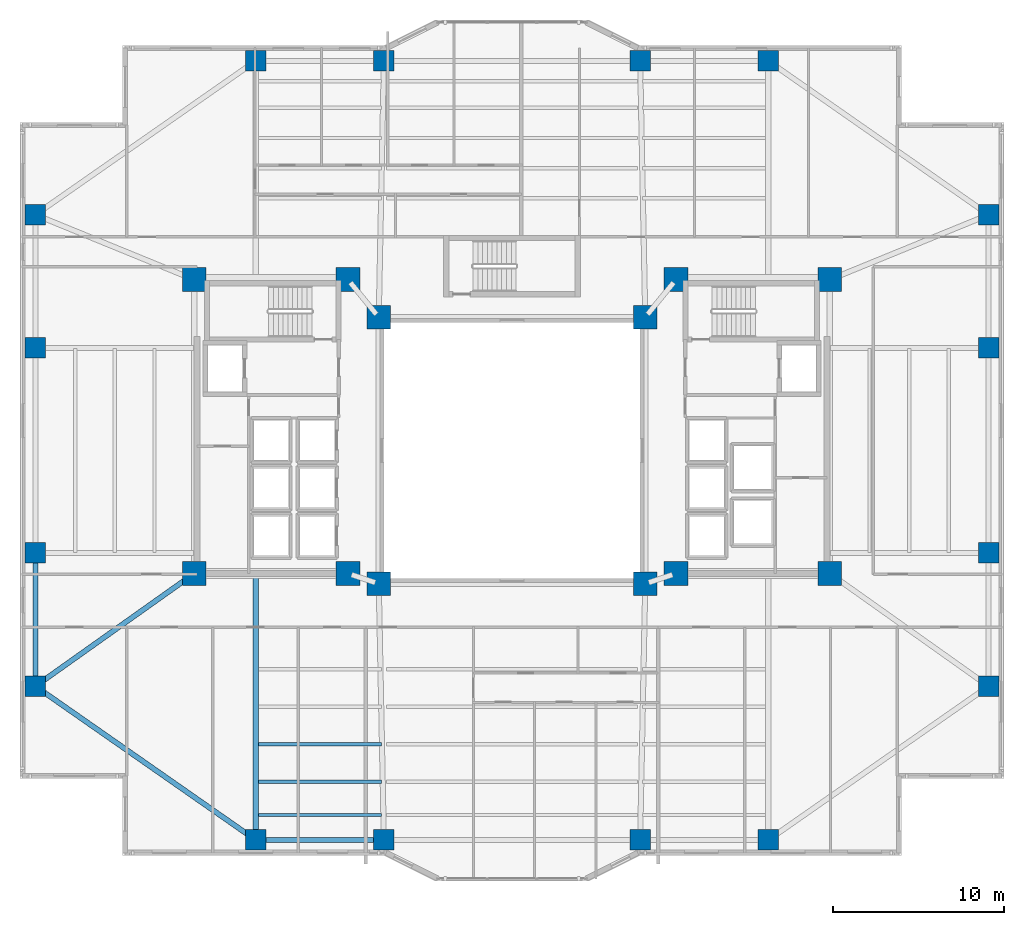
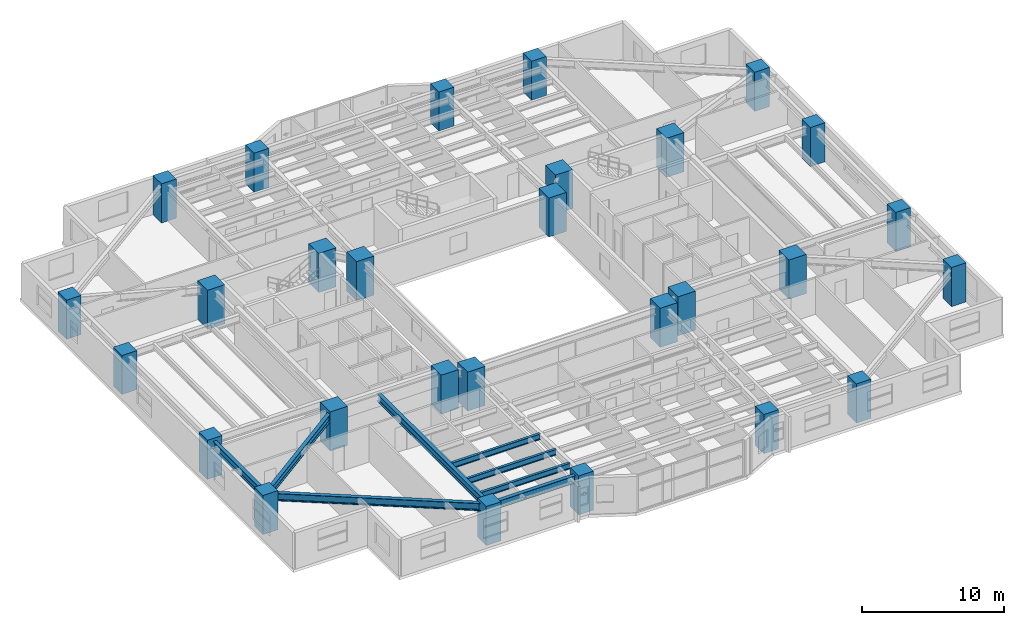
# One storey, part 1 of 19: 28 columns, 8 beams.
"""IFC4 building model written with IfcOpenShell, lengths in metres."""

from ifc_helpers import new_model, si_unit, direction, frame, origin, origin_2d, place, context, subcontext, project, spatial, rectangle, i_section, extrude, material, material_profile, profile_set, type_object, element, save


model = new_model("IFC4")

# Units and contexts
model_context = context("Model", 3, precision=1e-05, world=origin(), true_north=direction((0.0, 1.0)))
body_context = subcontext(model_context, "Body", "Model", "MODEL_VIEW")
ifc_project = project(units=[si_unit("LENGTHUNIT", "METRE"), si_unit("AREAUNIT", "SQUARE_METRE"), si_unit("VOLUMEUNIT", "CUBIC_METRE"), si_unit("PLANEANGLEUNIT", "RADIAN"), si_unit("MASSUNIT", "GRAM", prefix="KILO")], contexts=[model_context])

# Site, building, storey
site_placement = place(None, origin())
site = spatial("IfcSite", under=ifc_project, at=site_placement, CompositionType="ELEMENT")
building_placement = place(site_placement, origin())
building = spatial("IfcBuilding", under=site, at=building_placement, Name="Tarnavaz Court Tower", CompositionType="ELEMENT")
storey_placement = place(building_placement, frame((0.0, 0.0, 50.800048828125)))
storey = spatial("IfcBuildingStorey", under=building, at=storey_placement, Name="L13", CompositionType="ELEMENT", Elevation=50.800048828125)

# Columns
ifc_material_1 = material(Name="Concrete C60/75", Category="concrete")
ifc_material_profile_1 = material_profile(ifc_material_1, rectangle(XDim=1.199951171875, YDim=1.199951171875, at=origin_2d()), Name="RC 1200X1200")
ifc_profile_set_1 = profile_set([ifc_material_profile_1], Name="Concrete C60/75")
column_type_1 = type_object("IfcColumnType", Name="CL-RC1200", PredefinedType="COLUMN", material=ifc_profile_set_1)
for number, where, z_axis, x_axis, name in (
    (1, (-15.0, 22.800048828125, 0.0), (0.0, 0.0, 1.0), (1.0, 0.0, 0.0), "L13 Column PN-1"),
    (2, (-7.5, 22.800048828125, 0.0), (0.0, 0.0, 1.0), (1.0, 0.0, 0.0), "L13 Column PN-2"),
    (3, (7.5, 22.800048828125, 0.0), (0.0, 0.0, 1.0), (1.0, 0.0, 0.0), "L13 Column PN-3"),
    (4, (15.0, 22.800048828125, 0.0), (0.0, 0.0, 1.0), (1.0, 0.0, 0.0), "L13 Column PN-4"),
    (5, (-15.0, -22.800048828125, 0.0), (0.0, 0.0, 1.0), (1.0, 0.0, 0.0), "L13 Column PS-1"),
    (6, (-7.5, -22.800048828125, 0.0), (0.0, 0.0, 1.0), (1.0, 0.0, 0.0), "L13 Column PS-2"),
    (7, (7.5, -22.800048828125, 0.0), (0.0, 0.0, 1.0), (1.0, 0.0, 0.0), "L13 Column PS-3"),
    (8, (15.0, -22.800048828125, 0.0), (0.0, 0.0, 1.0), (1.0, 0.0, 0.0), "L13 Column PS-4"),
    (9, (27.89990234375, -13.800048828125, 0.0), (0.0, 0.0, 1.0), (1.0, 0.0, 0.0), "L13 Column PE-1"),
    (10, (27.89990234375, -6.0, 0.0), (0.0, 0.0, 1.0), (1.0, 0.0, 0.0), "L13 Column PE-2"),
    (11, (27.89990234375, 6.0, 0.0), (0.0, 0.0, 1.0), (1.0, 0.0, 0.0), "L13 Column PE-3"),
    (12, (27.89990234375, 13.800048828125, 0.0), (0.0, 0.0, 1.0), (1.0, 0.0, 0.0), "L13 Column PE-4"),
    (13, (-27.89990234375, -13.800048828125, 0.0), (0.0, 0.0, 1.0), (1.0, 0.0, 0.0), "L13 Column PW-1"),
    (14, (-27.89990234375, -6.0, 0.0), (0.0, 0.0, 1.0), (1.0, 0.0, 0.0), "L13 Column PW-2"),
    (15, (-27.89990234375, 6.0, 0.0), (0.0, 0.0, 1.0), (1.0, 0.0, 0.0), "L13 Column PW-3"),
    (16, (-27.89990234375, 13.800048828125, 0.0), (0.0, 0.0, 1.0), (1.0, 0.0, 0.0), "L13 Column PW-4"),
):
    element("IfcColumn", number, at=place(storey_placement, frame(where, z_axis=z_axis, x_axis=x_axis)), inside=storey, type_object=column_type_1, Name=name, PredefinedType="COLUMN", context=body_context, shape_type="SweptSolid", body=[
        extrude(rectangle(XDim=1.199951171875, YDim=1.199951171875, at=origin_2d()), origin(), (0.0, 0.0, 1.0), 3.349853515625),
    ])
ifc_material_profile_2 = material_profile(ifc_material_1, rectangle(XDim=1.39990234375, YDim=1.39990234375, at=origin_2d()), Name="RC 1400X1400")
ifc_profile_set_2 = profile_set([ifc_material_profile_2], Name="Concrete C60/75")
column_type_2 = type_object("IfcColumnType", Name="CL-RC1400", PredefinedType="COLUMN", material=ifc_profile_set_2)
for number, where, z_axis, x_axis, name in (
    (17, (-7.800048828125, -7.800048828125, 0.0), (0.0, 0.0, 1.0), (1.0, 0.0, 0.0), "L13 Column IW-SW"),
    (18, (7.800048828125, -7.800048828125, 0.0), (0.0, 0.0, 1.0), (1.0, 0.0, 0.0), "L13 Column IW-SE"),
    (19, (-7.800048828125, 7.800048828125, 0.0), (0.0, 0.0, 1.0), (1.0, 0.0, 0.0), "L13 Column IW-NW"),
    (20, (7.800048828125, 7.800048828125, 0.0), (0.0, 0.0, 1.0), (1.0, 0.0, 0.0), "L13 Column IW-NE"),
    (21, (-9.60009765625, -7.199951171875, 0.0), (0.0, 0.0, 1.0), (1.0, 0.0, 0.0), "L13 Column CW-SI"),
    (22, (-9.60009765625, 10.0, 0.0), (0.0, 0.0, 1.0), (1.0, 0.0, 0.0), "L13 Column CW-NI"),
    (23, (9.60009765625, -7.199951171875, 0.0), (0.0, 0.0, 1.0), (1.0, 0.0, 0.0), "L13 Column CE-SI"),
    (24, (9.60009765625, 10.0, 0.0), (0.0, 0.0, 1.0), (1.0, 0.0, 0.0), "L13 Column CE-NI"),
    (25, (-18.60009765625, -7.199951171875, 0.0), (0.0, 0.0, 1.0), (1.0, 0.0, 0.0), "L13 Column CW-SO"),
    (26, (-18.60009765625, 10.0, 0.0), (0.0, 0.0, 1.0), (1.0, 0.0, 0.0), "L13 Column CW-NO"),
    (27, (18.60009765625, -7.199951171875, 0.0), (0.0, 0.0, 1.0), (1.0, 0.0, 0.0), "L13 Column CE-SO"),
    (28, (18.60009765625, 10.0, 0.0), (0.0, 0.0, 1.0), (1.0, 0.0, 0.0), "L13 Column CE-NO"),
):
    element("IfcColumn", number, at=place(storey_placement, frame(where, z_axis=z_axis, x_axis=x_axis)), inside=storey, type_object=column_type_2, Name=name, PredefinedType="COLUMN", context=body_context, shape_type="SweptSolid", body=[
        extrude(rectangle(XDim=1.39990234375, YDim=1.39990234375, at=origin_2d()), origin(), (0.0, 0.0, 1.0), 3.349853515625),
    ])

# Beams
ifc_material_2 = material(Name="Steel S355", Category="steel")
ifc_material_profile_3 = material_profile(ifc_material_2, i_section(OverallWidth=0.300048828125, OverallDepth=0.64990234375, WebThickness=0.01611328125, FlangeThickness=0.031005859375, FilletRadius=0.027099609375, at=origin_2d()), Name="HEB 650")
ifc_profile_set_3 = profile_set([ifc_material_profile_3], Name="Steel S355")
beam_type_1 = type_object("IfcBeamType", Name="BM-G-HEB650", PredefinedType="USERDEFINED", material=ifc_profile_set_3)
beam_1_placement = place(storey_placement, frame((-15.0, -7.239990234375, 2.77490234375), z_axis=(0.0, -1.0, 0.0), x_axis=(1.0, 0.0, 0.0)))
element("IfcBeam", 29, at=beam_1_placement, inside=storey, type_object=beam_type_1, Name="L13 Beam RG-05", ObjectType="GIRDER", PredefinedType="USERDEFINED", context=body_context, shape_type="SweptSolid", body=[
    extrude(i_section(OverallWidth=0.300048828125, OverallDepth=0.64990234375, WebThickness=0.01611328125, FlangeThickness=0.031005859375, FilletRadius=0.027099609375, at=origin_2d()), origin(), (0.0, 0.0, 1.0), 15.340087890625),
])
beam_2_placement = place(storey_placement, frame((-18.779296875, -7.327392578125, 2.77490234375), z_axis=(-0.815520027245, -0.578728852886, 0.0), x_axis=(0.578728852886, -0.815520027245, 0.0)))
element("IfcBeam", 30, at=beam_2_placement, inside=storey, type_object=beam_type_1, Name="L13 Beam RG-15", ObjectType="GIRDER", PredefinedType="USERDEFINED", context=body_context, shape_type="SweptSolid", body=[
    extrude(i_section(OverallWidth=0.300048828125, OverallDepth=0.64990234375, WebThickness=0.01611328125, FlangeThickness=0.031005859375, FilletRadius=0.027099609375, at=origin_2d()), origin(), (0.0, 0.0, 1.0), 10.964111328125),
])
ifc_material_profile_4 = material_profile(ifc_material_2, i_section(OverallWidth=0.199951171875, OverallDepth=0.5, WebThickness=0.01025390625, FlangeThickness=0.01611328125, FilletRadius=0.02099609375, at=origin_2d()), Name="IPE 500")
ifc_profile_set_4 = profile_set([ifc_material_profile_4], Name="Steel S355")
beam_type_2 = type_object("IfcBeamType", Name="BM-J-IPE500", PredefinedType="JOIST", material=ifc_profile_set_4)
for number, where, z_axis, x_axis, name in (
    (31, (-14.85009765625, -17.18798828125, 2.849853515625), (1.0, 0.0, 0.0), (0.0, 1.0, 0.0), "L13 Beam JS3-1"),
    (32, (-14.85009765625, -19.384033203125, 2.849853515625), (1.0, 0.0, 0.0), (0.0, 1.0, 0.0), "L13 Beam JS4-1"),
    (33, (-14.85009765625, -21.3359375, 2.849853515625), (1.0, 0.0, 0.0), (0.0, 1.0, 0.0), "L13 Beam JS5-1"),
):
    element("IfcBeam", number, at=place(storey_placement, frame(where, z_axis=z_axis, x_axis=x_axis)), inside=storey, type_object=beam_type_2, Name=name, PredefinedType="JOIST", context=body_context, shape_type="SweptSolid", body=[
        extrude(i_section(OverallWidth=0.199951171875, OverallDepth=0.5, WebThickness=0.01025390625, FlangeThickness=0.01611328125, FilletRadius=0.02099609375, at=origin_2d()), origin(), (0.0, 0.0, 1.0), 7.2001953125),
    ])
ifc_material_profile_5 = material_profile(ifc_material_2, i_section(OverallWidth=0.300048828125, OverallDepth=0.639892578125, WebThickness=0.013427734375, FlangeThickness=0.02587890625, FilletRadius=0.027099609375, at=origin_2d()), Name="HEA 650")
ifc_profile_set_5 = profile_set([ifc_material_profile_5], Name="Steel S355")
beam_type_3 = type_object("IfcBeamType", Name="BM-SP-HEA650", PredefinedType="SPANDREL", material=ifc_profile_set_5)
beam_3_placement = place(storey_placement, frame((-14.780029296875, -22.800048828125, 2.780029296875), z_axis=(1.0, 0.0, 0.0), x_axis=(0.0, 1.0, 0.0)))
element("IfcBeam", 34, at=beam_3_placement, inside=storey, type_object=beam_type_3, Name="L13 Beam PR-PS-1-PS-2", PredefinedType="SPANDREL", context=body_context, shape_type="SweptSolid", body=[
    extrude(i_section(OverallWidth=0.300048828125, OverallDepth=0.639892578125, WebThickness=0.013427734375, FlangeThickness=0.02587890625, FilletRadius=0.027099609375, at=origin_2d()), origin(), (0.0, 0.0, 1.0), 7.06005859375),
])
beam_4_placement = place(storey_placement, frame((-27.89990234375, -13.580078125, 2.780029296875), z_axis=(0.0, 1.0, 0.0), x_axis=(-1.0, 0.0, 0.0)))
element("IfcBeam", 35, at=beam_4_placement, inside=storey, type_object=beam_type_3, Name="L13 Beam PR-PW-1-PW-2", PredefinedType="SPANDREL", context=body_context, shape_type="SweptSolid", body=[
    extrude(i_section(OverallWidth=0.300048828125, OverallDepth=0.639892578125, WebThickness=0.013427734375, FlangeThickness=0.02587890625, FilletRadius=0.027099609375, at=origin_2d()), origin(), (0.0, 0.0, 1.0), 7.360107421875),
])
beam_5_placement = place(storey_placement, frame((-15.180419921875, -22.674072265625, 2.780029296875), z_axis=(-0.820123643324, 0.572186341729, 0.0), x_axis=(-0.572186341729, -0.820123643324, 0.0)))
element("IfcBeam", 36, at=beam_5_placement, inside=storey, type_object=beam_type_3, Name="L13 Beam PR-PS-1-PW-1", PredefinedType="SPANDREL", context=body_context, shape_type="SweptSolid", body=[
    extrude(i_section(OverallWidth=0.300048828125, OverallDepth=0.639892578125, WebThickness=0.013427734375, FlangeThickness=0.02587890625, FilletRadius=0.027099609375, at=origin_2d()), origin(), (0.0, 0.0, 1.0), 15.289306640625),
])

save(model, "model.ifc")
